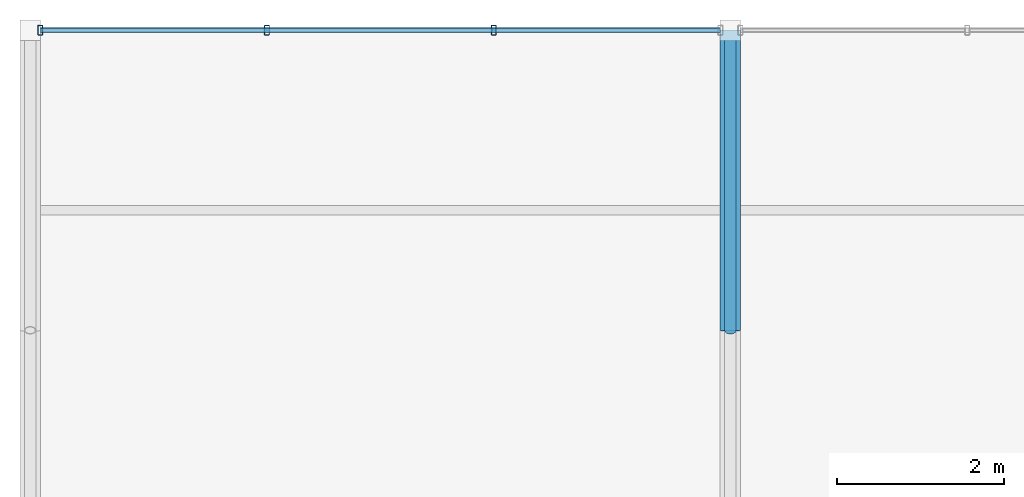
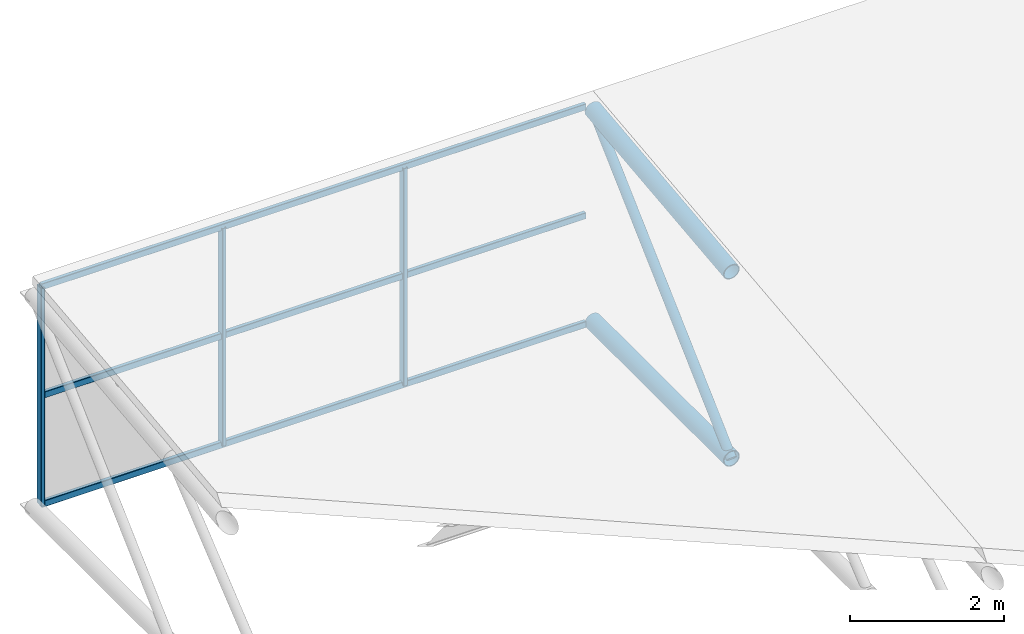
# One storey, part 50 of 77: 9 members, 1 element without a shape of its own.
"""IFC4 building model written with IfcOpenShell, lengths in metres."""

from ifc_helpers import new_model, si_unit, derived_unit, direction, frame, origin, origin_2d, place, context, subcontext, project, spatial, hollow_rectangle, hollow_circle, extrude, material, material_profile, profile_set, type_object, element, aggregate, save


model = new_model("IFC4")

# Units and contexts
model_context = context("Model", 3, precision=1e-05, world=origin(), true_north=direction((0.0, 1.0)))
body_context = subcontext(model_context, "Body", "Model", "MODEL_VIEW")
ifc_project = project(units=[si_unit("LENGTHUNIT", "METRE"), si_unit("AREAUNIT", "SQUARE_METRE"), si_unit("VOLUMEUNIT", "CUBIC_METRE"), si_unit("PLANEANGLEUNIT", "RADIAN"), si_unit("MASSUNIT", "GRAM", prefix="KILO"), derived_unit("THERMALTRANSMITTANCEUNIT", [(si_unit("MASSUNIT", "GRAM", prefix="KILO"), 1), (si_unit("TIMEUNIT", "SECOND"), -3), (si_unit("THERMODYNAMICTEMPERATUREUNIT", "KELVIN"), -1)])], contexts=[model_context])

# Site, building, storey
site_placement = place(None, origin())
site = spatial("IfcSite", under=ifc_project, at=site_placement, CompositionType="ELEMENT")
building_placement = place(site_placement, origin())
building = spatial("IfcBuilding", under=site, at=building_placement, Name="Kharveza Railside Sports Centre", CompositionType="ELEMENT")
storey_placement = place(building_placement, frame((0.0, 0.0, 17.10009765625)))
storey = spatial("IfcBuildingStorey", under=building, at=storey_placement, Name="L04", CompositionType="ELEMENT", Elevation=17.10009765625)

# Curtain wall, members
ifc_material_1 = material(Name="Low-E solar-control laminated glass", Category="glass")
curtain_wall_type = type_object("IfcCurtainWallType", Name="CW-NL03", PredefinedType="NOTDEFINED", material=ifc_material_1)
curtain_wall_placement = place(storey_placement, origin())
curtain_wall = element("IfcCurtainWall", 1, at=curtain_wall_placement, inside=storey, type_object=curtain_wall_type, Name="CW-V3NL-1", PredefinedType="NOTDEFINED")
ifc_material_2 = material(Name="Anodised aluminium 6063-T6", Category="aluminium")
ifc_material_profile_1 = material_profile(ifc_material_2, hollow_rectangle(XDim=0.06005859375, YDim=0.1201171875, WallThickness=0.0048828125, InnerFilletRadius=0.0048828125, OuterFilletRadius=0.010009765625, at=origin_2d()), Name="RHS 60x120x5.0")
ifc_profile_set_1 = profile_set([ifc_material_profile_1], Name="Anodised aluminium 6063-T6")
member_type_1 = type_object("IfcMemberType", Name="CW-ML05", PredefinedType="MULLION", material=ifc_profile_set_1)
member_1_placement = place(storey_placement, frame((0.1201171875, 108.0, 0.0), z_axis=(0.0, 0.0, 1.0), x_axis=(1.0, 0.0, 0.0)))
member_1 = element("IfcMember", 2, at=member_1_placement, type_object=member_type_1, Name="CW-V3NL-1-ML1", PredefinedType="MULLION", context=body_context, shape_type="SweptSolid", body=[
    extrude(hollow_rectangle(XDim=0.06005859375, YDim=0.1201171875, WallThickness=0.0048828125, InnerFilletRadius=0.0048828125, OuterFilletRadius=0.010009765625, at=origin_2d()), origin(), (0.0, 0.0, 1.0), 3.449951171875),
])
member_2_placement = place(storey_placement, frame((2.840087890625, 108.0, 0.0), z_axis=(0.0, 0.0, 1.0), x_axis=(1.0, 0.0, 0.0)))
member_2 = element("IfcMember", 3, at=member_2_placement, type_object=member_type_1, Name="CW-V3NL-1-ML2", PredefinedType="MULLION", context=body_context, shape_type="SweptSolid", body=[
    extrude(hollow_rectangle(XDim=0.06005859375, YDim=0.1201171875, WallThickness=0.0048828125, InnerFilletRadius=0.0048828125, OuterFilletRadius=0.010009765625, at=origin_2d()), origin(), (0.0, 0.0, 1.0), 3.449951171875),
])
member_3_placement = place(storey_placement, frame((5.56005859375, 108.0, 0.0), z_axis=(0.0, 0.0, 1.0), x_axis=(1.0, 0.0, 0.0)))
member_3 = element("IfcMember", 4, at=member_3_placement, type_object=member_type_1, Name="CW-V3NL-1-ML3", PredefinedType="MULLION", context=body_context, shape_type="SweptSolid", body=[
    extrude(hollow_rectangle(XDim=0.06005859375, YDim=0.1201171875, WallThickness=0.0048828125, InnerFilletRadius=0.0048828125, OuterFilletRadius=0.010009765625, at=origin_2d()), origin(), (0.0, 0.0, 1.0), 3.449951171875),
])
ifc_material_profile_2 = material_profile(ifc_material_2, hollow_rectangle(XDim=0.06005859375, YDim=0.10009765625, WallThickness=0.00390625, InnerFilletRadius=0.00390625, OuterFilletRadius=0.008056640625, at=origin_2d()), Name="RHS 60x100x4.0")
ifc_profile_set_2 = profile_set([ifc_material_profile_2], Name="Anodised aluminium 6063-T6")
member_type_2 = type_object("IfcMemberType", Name="CW-TR05", PredefinedType="USERDEFINED", material=ifc_profile_set_2)
member_4_placement = place(storey_placement, frame((0.1201171875, 108.0, 0.0), z_axis=(1.0, 0.0, 0.0), x_axis=(0.0, 1.0, 0.0)))
member_4 = element("IfcMember", 5, at=member_4_placement, type_object=member_type_2, Name="CW-V3NL-1-TR1", ObjectType="TRANSOM", PredefinedType="USERDEFINED", context=body_context, shape_type="SweptSolid", body=[
    extrude(hollow_rectangle(XDim=0.06005859375, YDim=0.10009765625, WallThickness=0.00390625, InnerFilletRadius=0.00390625, OuterFilletRadius=0.008056640625, at=origin_2d()), origin(), (0.0, 0.0, 1.0), 8.159912109375),
])
member_5_placement = place(storey_placement, frame((0.1201171875, 108.0, 1.724853515625), z_axis=(1.0, 0.0, 0.0), x_axis=(0.0, 1.0, 0.0)))
member_5 = element("IfcMember", 6, at=member_5_placement, type_object=member_type_2, Name="CW-V3NL-1-TR2", ObjectType="TRANSOM", PredefinedType="USERDEFINED", context=body_context, shape_type="SweptSolid", body=[
    extrude(hollow_rectangle(XDim=0.06005859375, YDim=0.10009765625, WallThickness=0.00390625, InnerFilletRadius=0.00390625, OuterFilletRadius=0.008056640625, at=origin_2d()), origin(), (0.0, 0.0, 1.0), 8.159912109375),
])
member_6_placement = place(storey_placement, frame((0.1201171875, 108.0, 3.449951171875), z_axis=(1.0, 0.0, 0.0), x_axis=(0.0, 1.0, 0.0)))
member_6 = element("IfcMember", 7, at=member_6_placement, type_object=member_type_2, Name="CW-V3NL-1-TR3", ObjectType="TRANSOM", PredefinedType="USERDEFINED", context=body_context, shape_type="SweptSolid", body=[
    extrude(hollow_rectangle(XDim=0.06005859375, YDim=0.10009765625, WallThickness=0.00390625, InnerFilletRadius=0.00390625, OuterFilletRadius=0.008056640625, at=origin_2d()), origin(), (0.0, 0.0, 1.0), 8.159912109375),
])
aggregate(curtain_wall, [member_1, member_2, member_3, member_4, member_5, member_6])

# Members
ifc_material_3 = material(Name="Steel S355J2", Category="steel")
ifc_material_profile_3 = material_profile(ifc_material_3, hollow_circle(Radius=0.122314453125, WallThickness=0.012451171875, at=origin_2d()), Name="CHS 244.5x12.5")
ifc_profile_set_3 = profile_set([ifc_material_profile_3], Name="Steel S355J2")
member_type_3 = type_object("IfcMemberType", Name="MB-CH04", PredefinedType="CHORD", material=ifc_profile_set_3)
member_7_placement = place(storey_placement, frame((8.39990234375, 104.39990234375, 0.0), z_axis=(0.0, 1.0, 0.0), x_axis=(-1.0, 0.0, 0.0)))
element("IfcMember", 8, at=member_7_placement, inside=storey, type_object=member_type_3, Name="MB-V3TR-BC-2-6", PredefinedType="CHORD", context=body_context, shape_type="SweptSolid", body=[
    extrude(hollow_circle(Radius=0.122314453125, WallThickness=0.012451171875, at=origin_2d()), origin(), (0.0, 0.0, 1.0), 3.60009765625),
])
member_8_placement = place(storey_placement, frame((8.39990234375, 104.39990234375, 2.9599609375), z_axis=(0.0, 0.99388702206, 0.110401935585), x_axis=(-1.0, 0.0, 0.0)))
element("IfcMember", 9, at=member_8_placement, inside=storey, type_object=member_type_3, Name="MB-V3TR-TC-2-6", PredefinedType="CHORD", context=body_context, shape_type="SweptSolid", body=[
    extrude(hollow_circle(Radius=0.122314453125, WallThickness=0.012451171875, at=origin_2d()), origin(), (0.0, 0.0, 1.0), 3.622314453125),
])
ifc_material_profile_4 = material_profile(ifc_material_3, hollow_circle(Radius=0.06982421875, WallThickness=0.008056640625, at=origin_2d()), Name="CHS 139.7x8.0")
ifc_profile_set_4 = profile_set([ifc_material_profile_4], Name="Steel S355J2")
member_type_4 = type_object("IfcMemberType", Name="MB-ST04", PredefinedType="STRUT", material=ifc_profile_set_4)
member_9_placement = place(storey_placement, frame((8.39990234375, 104.39990234375, 0.0), z_axis=(0.0, 0.731078349305, 0.682293519812), x_axis=(-1.0, 0.0, 0.0)))
element("IfcMember", 10, at=member_9_placement, inside=storey, type_object=member_type_4, Name="MB-V3TR-DG-2-6", PredefinedType="STRUT", context=body_context, shape_type="SweptSolid", body=[
    extrude(hollow_circle(Radius=0.06982421875, WallThickness=0.008056640625, at=origin_2d()), origin(), (0.0, 0.0, 1.0), 4.92431640625),
])

save(model, "model.ifc")
